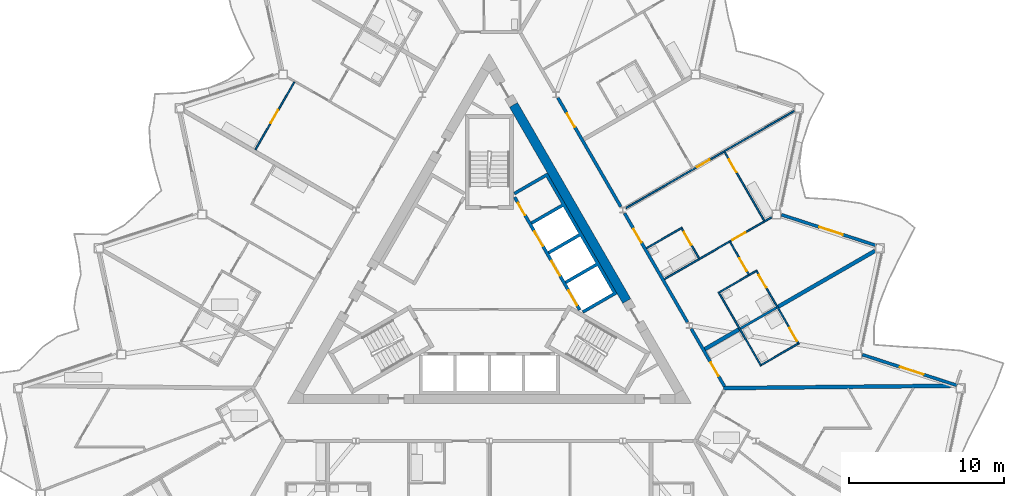
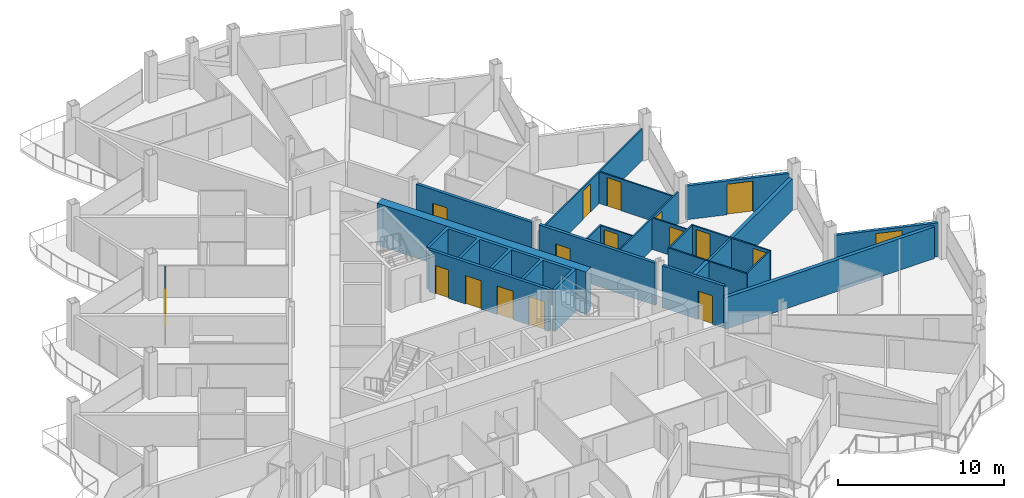
# One storey, part 17 of 27: 23 walls, 17 doors, 17 openings.
"""IFC4 building model written with IfcOpenShell, lengths in metres."""

from ifc_helpers import new_model, si_unit, direction, frame, frame_2d, origin, place, context, subcontext, project, spatial, polyline, rectangle, outline, extrude, material, layer, layer_set, type_object, element, fill, save


model = new_model("IFC4")

# Units and contexts
model_context = context("Model", 3, precision=1e-05, world=origin(), true_north=direction((0.0, 1.0)))
body_context = subcontext(model_context, "Body", "Model", "MODEL_VIEW")
ifc_project = project(units=[si_unit("LENGTHUNIT", "METRE"), si_unit("AREAUNIT", "SQUARE_METRE"), si_unit("VOLUMEUNIT", "CUBIC_METRE"), si_unit("PLANEANGLEUNIT", "RADIAN"), si_unit("MASSUNIT", "GRAM", prefix="KILO")], contexts=[model_context])

# Site, building, storey
site_placement = place(None, origin())
site = spatial("IfcSite", under=ifc_project, at=site_placement, CompositionType="ELEMENT")
building_placement = place(site_placement, origin())
building = spatial("IfcBuilding", under=site, at=building_placement, Name="Cormorant Prow Tower", CompositionType="ELEMENT")
storey_placement = place(building_placement, frame((0.0, 0.0, 332.39990234375)))
storey = spatial("IfcBuildingStorey", under=building, at=storey_placement, Name="L74", CompositionType="ELEMENT", Elevation=332.39990234375)

# Wall
ifc_material_1 = material(Name="Concrete 8000 psi", Category="concrete")
ifc_layer_1 = layer(ifc_material_1, 0.60009765625)
ifc_layer_set_1 = layer_set([ifc_layer_1], Name="Concrete 8000 psi")
wall_type_1 = type_object("IfcWallType", Name="Core shear wall 600", PredefinedType="SHEAR", material=ifc_layer_set_1)
wall_1_placement = place(storey_placement, frame((8.841064453125, -0.902099609375, 0.0), z_axis=(0.0, 0.0, 1.0), x_axis=(-0.499995618375, 0.866027933502, 0.0)))
element("IfcWall", 1, at=wall_1_placement, inside=storey, type_object=wall_type_1, Name="Core wall", PredefinedType="SHEAR", context=body_context, shape_type="SweptSolid", body=[
    extrude(rectangle(XDim=14.570556640625, YDim=0.60009765625, at=frame_2d((7.28515625, 0.0))), origin(), (0.0, 0.0, 1.0), 3.10009765625),
])

# Wall, opening, door
ifc_material_2 = material(Name="Gypsum board corridor wall")
ifc_layer_2 = layer(ifc_material_2, 0.199951171875)
ifc_layer_set_2 = layer_set([ifc_layer_2], Name="Gypsum board corridor wall")
wall_type_2 = type_object("IfcWallType", Name="Corridor wall 200", PredefinedType="PARTITIONING", material=ifc_layer_set_2)
wall_2_placement = place(storey_placement, frame((4.4091796875, 12.17431640625, 0.0), z_axis=(0.0, 0.0, 1.0), x_axis=(0.499984266882, -0.866034487114, 0.0)))
wall_2 = element("IfcWall", 2, at=wall_2_placement, inside=storey, type_object=wall_type_2, Name="Corridor wall", PredefinedType="PARTITIONING", context=body_context, shape_type="SweptSolid", body=[
    extrude(rectangle(XDim=8.098876953125, YDim=0.199951171875, at=frame_2d((4.04931640625, 0.0))), origin(), (0.0, 0.0, 1.0), 3.10009765625),
])
opening_1_placement = place(wall_2_placement, frame((1.16357421875, 0.0, 0.0)))
opening_1 = element("IfcOpeningElement", 3, at=opening_1_placement, cuts=wall_2, Name="Opening L74-F32", PredefinedType="OPENING", context=body_context, shape_type="SweptSolid", body=[
    extrude(rectangle(XDim=1.0, YDim=2.10009765625, at=frame_2d((0.5, 1.050048828125))), frame((0.0, 0.10986328125, 0.0), z_axis=(0.0, -1.0, 0.0), x_axis=(1.0, 0.0, 0.0)), (0.0, 0.0, 1.0), 0.219970703125),
])
ifc_material_3 = material(Name="Timber door leaf", Category="wood")
door_type_1 = type_object("IfcDoorType", Name="Flat or room entrance door 1000x2100", OperationType="NOTDEFINED", PredefinedType="DOOR", material=ifc_material_3)
door_1_placement = place(opening_1_placement, origin())
door_1 = element("IfcDoor", 4, at=door_1_placement, inside=storey, type_object=door_type_1, Name="Living room door", OperationType="SINGLE_SWING_RIGHT", OverallHeight=2.10009765625, OverallWidth=1.0, PredefinedType="DOOR", context=body_context, shape_type="SweptSolid", body=[
    extrude(rectangle(XDim=1.0, YDim=2.10009765625, at=frame_2d((0.5, 1.050048828125))), frame((0.0, 0.02490234375, 0.0), z_axis=(0.0, -1.0, 0.0), x_axis=(1.0, 0.0, 0.0)), (0.0, 0.0, 1.0), 0.050048828125),
])
fill(opening_1, door_1)

wall_3_placement = place(storey_placement, frame((8.698486328125, 4.7451171875, 0.0), z_axis=(0.0, 0.0, 1.0), x_axis=(0.499984266882, -0.866034487114, 0.0)))
wall_3 = element("IfcWall", 5, at=wall_3_placement, inside=storey, type_object=wall_type_2, Name="Corridor wall", PredefinedType="PARTITIONING", context=body_context, shape_type="SweptSolid", body=[
    extrude(rectangle(XDim=8.098876953125, YDim=0.199951171875, at=frame_2d((4.04931640625, 0.0))), origin(), (0.0, 0.0, 1.0), 3.10009765625),
])
opening_2_placement = place(wall_3_placement, frame((1.16357421875, 0.0, 0.0)))
opening_2 = element("IfcOpeningElement", 6, at=opening_2_placement, cuts=wall_3, Name="Opening L74-F24", PredefinedType="OPENING", context=body_context, shape_type="SweptSolid", body=[
    extrude(rectangle(XDim=1.0, YDim=2.10009765625, at=frame_2d((0.5, 1.050048828125))), frame((0.0, 0.10986328125, 0.0), z_axis=(0.0, -1.0, 0.0), x_axis=(1.0, 0.0, 0.0)), (0.0, 0.0, 1.0), 0.219970703125),
])
door_2_placement = place(opening_2_placement, origin())
door_2 = element("IfcDoor", 7, at=door_2_placement, inside=storey, type_object=door_type_1, Name="Living room door", OperationType="SINGLE_SWING_RIGHT", OverallHeight=2.10009765625, OverallWidth=1.0, PredefinedType="DOOR", context=body_context, shape_type="SweptSolid", body=[
    extrude(rectangle(XDim=1.0, YDim=2.10009765625, at=frame_2d((0.5, 1.050048828125))), frame((0.0, 0.02490234375, 0.0), z_axis=(0.0, -1.0, 0.0), x_axis=(1.0, 0.0, 0.0)), (0.0, 0.0, 1.0), 0.050048828125),
])
fill(opening_2, door_2)

wall_4_placement = place(storey_placement, frame((12.987548828125, -2.68408203125, 0.0), z_axis=(0.0, 0.0, 1.0), x_axis=(0.500003406062, -0.866023437285, 0.0)))
wall_4 = element("IfcWall", 8, at=wall_4_placement, inside=storey, type_object=wall_type_2, Name="Corridor wall", PredefinedType="PARTITIONING", context=body_context, shape_type="SweptSolid", body=[
    extrude(rectangle(XDim=4.28759765625, YDim=0.199951171875, at=frame_2d((2.143798828125, 0.0))), origin(), (0.0, 0.0, 1.0), 3.10009765625),
])
opening_3_placement = place(wall_4_placement, frame((2.521484375, 0.0, 0.0)))
opening_3 = element("IfcOpeningElement", 9, at=opening_3_placement, cuts=wall_4, Name="Opening L74-F22", PredefinedType="OPENING", context=body_context, shape_type="SweptSolid", body=[
    extrude(rectangle(XDim=1.0, YDim=2.10009765625, at=frame_2d((0.5, 1.050048828125))), frame((0.0, 0.10986328125, 0.0), z_axis=(0.0, -1.0, 0.0), x_axis=(1.0, 0.0, 0.0)), (0.0, 0.0, 1.0), 0.219970703125),
])
door_3_placement = place(opening_3_placement, origin())
door_3 = element("IfcDoor", 10, at=door_3_placement, inside=storey, type_object=door_type_1, Name="Studio living, kitchen and sleeping room door", OperationType="SINGLE_SWING_RIGHT", OverallHeight=2.10009765625, OverallWidth=1.0, PredefinedType="DOOR", context=body_context, shape_type="SweptSolid", body=[
    extrude(rectangle(XDim=1.0, YDim=2.10009765625, at=frame_2d((0.5, 1.050048828125))), frame((0.0, 0.02490234375, 0.0), z_axis=(0.0, -1.0, 0.0), x_axis=(1.0, 0.0, 0.0)), (0.0, 0.0, 1.0), 0.050048828125),
])
fill(opening_3, door_3)

ifc_material_4 = material(Name="Gypsum board partition")
ifc_layer_3 = layer(ifc_material_4, 0.10009765625)
ifc_layer_set_3 = layer_set([ifc_layer_3], Name="Gypsum board partition")
wall_type_3 = type_object("IfcWallType", Name="Internal partition 100", PredefinedType="PARTITIONING", material=ifc_layer_set_3)
wall_5_placement = place(storey_placement, frame((8.7861328125, 5.07275390625, 0.0), z_axis=(0.0, 0.0, 1.0), x_axis=(0.86602139559, 0.500006942333, 0.0)))
wall_5 = element("IfcWall", 11, at=wall_5_placement, inside=storey, type_object=wall_type_3, Name="Internal partition", PredefinedType="PARTITIONING", context=body_context, shape_type="SweptSolid", body=[
    extrude(rectangle(XDim=12.504638671875, YDim=0.10009765625, at=frame_2d((6.25244140625, 0.0))), origin(), (0.0, 0.0, 1.0), 2.330078125),
])
opening_4_placement = place(wall_5_placement, frame((5.27490234375, 0.0, 0.0)))
opening_4 = element("IfcOpeningElement", 12, at=opening_4_placement, cuts=wall_5, Name="Opening L74-F29", PredefinedType="OPENING", context=body_context, shape_type="SweptSolid", body=[
    extrude(rectangle(XDim=0.949951171875, YDim=2.10009765625, at=frame_2d((0.47509765625, 1.050048828125))), frame((0.0, 0.06005859375, 0.0), z_axis=(0.0, -1.0, 0.0), x_axis=(1.0, 0.0, 0.0)), (0.0, 0.0, 1.0), 0.1201171875),
])
ifc_material_5 = material(Name="Timber door leaf", Category="wood")
door_type_2 = type_object("IfcDoorType", Name="Bathroom door 950x2100", OperationType="NOTDEFINED", PredefinedType="DOOR", material=ifc_material_5)
door_4_placement = place(opening_4_placement, origin())
door_4 = element("IfcDoor", 13, at=door_4_placement, inside=storey, type_object=door_type_2, Name="Living room door", OperationType="SINGLE_SWING_LEFT", OverallHeight=2.10009765625, OverallWidth=0.949951171875, PredefinedType="DOOR", context=body_context, shape_type="SweptSolid", body=[
    extrude(rectangle(XDim=0.949951171875, YDim=2.10009765625, at=frame_2d((0.47509765625, 1.050048828125))), frame((0.0, 0.02490234375, 0.0), z_axis=(0.0, -1.0, 0.0), x_axis=(1.0, 0.0, 0.0)), (0.0, 0.0, 1.0), 0.050048828125),
])
fill(opening_4, door_4)

wall_6_placement = place(storey_placement, frame((11.26318359375, 0.502685546875, 0.0), z_axis=(0.0, 0.0, 1.0), x_axis=(0.866023773276, 0.500002824113, 0.0)))
wall_6 = element("IfcWall", 14, at=wall_6_placement, inside=storey, type_object=wall_type_3, Name="Internal partition", PredefinedType="PARTITIONING", context=body_context, shape_type="SweptSolid", body=[
    extrude(rectangle(XDim=7.96484375, YDim=0.10009765625, at=frame_2d((3.982421875, 0.0))), origin(), (0.0, 0.0, 1.0), 2.330078125),
])
opening_5_placement = place(wall_6_placement, frame((5.06103515625, 0.0, 0.0)))
opening_5 = element("IfcOpeningElement", 15, at=opening_5_placement, cuts=wall_6, Name="Opening L74-F27", PredefinedType="OPENING", context=body_context, shape_type="SweptSolid", body=[
    extrude(rectangle(XDim=0.949951171875, YDim=2.10009765625, at=frame_2d((0.47509765625, 1.050048828125))), frame((0.0, 0.06005859375, 0.0), z_axis=(0.0, -1.0, 0.0), x_axis=(1.0, 0.0, 0.0)), (0.0, 0.0, 1.0), 0.1201171875),
])
door_5_placement = place(opening_5_placement, origin())
door_5 = element("IfcDoor", 16, at=door_5_placement, inside=storey, type_object=door_type_2, Name="Living room door", OperationType="SINGLE_SWING_LEFT", OverallHeight=2.10009765625, OverallWidth=0.949951171875, PredefinedType="DOOR", context=body_context, shape_type="SweptSolid", body=[
    extrude(rectangle(XDim=0.949951171875, YDim=2.10009765625, at=frame_2d((0.47509765625, 1.050048828125))), frame((0.0, 0.02490234375, 0.0), z_axis=(0.0, -1.0, 0.0), x_axis=(1.0, 0.0, 0.0)), (0.0, 0.0, 1.0), 0.050048828125),
])
fill(opening_5, door_5)

# Wall
wall_7_placement = place(storey_placement, frame((14.738037109375, -0.31591796875, 0.0), z_axis=(0.0, 0.0, 1.0), x_axis=(0.499996545922, -0.866027397988, 0.0)))
element("IfcWall", 17, at=wall_7_placement, inside=storey, type_object=wall_type_3, Name="Internal partition", PredefinedType="PARTITIONING", context=body_context, shape_type="SweptSolid", body=[
    extrude(rectangle(XDim=5.5, YDim=0.10009765625, at=frame_2d((2.75, 0.0))), origin(), (0.0, 0.0, 1.0), 2.330078125),
])

# Wall, openings, doors
wall_8_placement = place(storey_placement, frame((17.162841796875, 1.083984375, 0.0), z_axis=(0.0, 0.0, 1.0), x_axis=(0.500015767406, -0.866016300277, 0.0)))
wall_8 = element("IfcWall", 18, at=wall_8_placement, inside=storey, type_object=wall_type_3, Name="Internal partition", PredefinedType="PARTITIONING", context=body_context, shape_type="SweptSolid", body=[
    extrude(rectangle(XDim=5.499755859375, YDim=0.10009765625, at=frame_2d((2.75, 0.0))), origin(), (0.0, 0.0, 1.0), 2.330078125),
])
opening_6_placement = place(wall_8_placement, frame((4.300048828125, 0.0, 0.0)))
opening_6 = element("IfcOpeningElement", 19, at=opening_6_placement, cuts=wall_8, Name="Opening L74-F23", PredefinedType="OPENING", context=body_context, shape_type="SweptSolid", body=[
    extrude(rectangle(XDim=0.949951171875, YDim=2.10009765625, at=frame_2d((0.47509765625, 1.050048828125))), frame((0.0, 0.06005859375, 0.0), z_axis=(0.0, -1.0, 0.0), x_axis=(1.0, 0.0, 0.0)), (0.0, 0.0, 1.0), 0.1201171875),
])
opening_7_placement = place(wall_8_placement, frame((0.351318359375, 0.0, 0.0)))
opening_7 = element("IfcOpeningElement", 20, at=opening_7_placement, cuts=wall_8, Name="Opening L74-F31", PredefinedType="OPENING", context=body_context, shape_type="SweptSolid", body=[
    extrude(rectangle(XDim=0.949951171875, YDim=2.10009765625, at=frame_2d((0.47509765625, 1.050048828125))), frame((0.0, 0.06005859375, 0.0), z_axis=(0.0, -1.0, 0.0), x_axis=(1.0, 0.0, 0.0)), (0.0, 0.0, 1.0), 0.1201171875),
])
door_6_placement = place(opening_6_placement, origin())
door_6 = element("IfcDoor", 21, at=door_6_placement, inside=storey, type_object=door_type_2, Name="Studio living, kitchen and sleeping room door", OperationType="SINGLE_SWING_RIGHT", OverallHeight=2.10009765625, OverallWidth=0.949951171875, PredefinedType="DOOR", context=body_context, shape_type="SweptSolid", body=[
    extrude(rectangle(XDim=0.949951171875, YDim=2.10009765625, at=frame_2d((0.47509765625, 1.050048828125))), frame((0.0, 0.02490234375, 0.0), z_axis=(0.0, -1.0, 0.0), x_axis=(1.0, 0.0, 0.0)), (0.0, 0.0, 1.0), 0.050048828125),
])
fill(opening_6, door_6)
door_7_placement = place(opening_7_placement, origin())
door_7 = element("IfcDoor", 22, at=door_7_placement, inside=storey, type_object=door_type_2, Name="Bedroom door", OperationType="SINGLE_SWING_LEFT", OverallHeight=2.10009765625, OverallWidth=0.949951171875, PredefinedType="DOOR", context=body_context, shape_type="SweptSolid", body=[
    extrude(rectangle(XDim=0.949951171875, YDim=2.10009765625, at=frame_2d((0.47509765625, 1.050048828125))), frame((0.0, 0.02490234375, 0.0), z_axis=(0.0, -1.0, 0.0), x_axis=(1.0, 0.0, 0.0)), (0.0, 0.0, 1.0), 0.050048828125),
])
fill(opening_7, door_7)

# Wall, opening, door
wall_9_placement = place(storey_placement, frame((-15.052490234375, 8.834716796875, 0.0), z_axis=(0.0, 0.0, 1.0), x_axis=(0.500008642379, 0.866020414047, 0.0)))
wall_9 = element("IfcWall", 23, at=wall_9_placement, inside=storey, type_object=wall_type_3, Name="Internal partition", PredefinedType="PARTITIONING", context=body_context, shape_type="SweptSolid", body=[
    extrude(rectangle(XDim=5.021484375, YDim=0.10009765625, at=frame_2d((2.5107421875, 0.0))), origin(), (0.0, 0.0, 1.0), 2.330078125),
])
opening_8_placement = place(wall_9_placement, frame((1.984619140625, 0.0, 0.0)))
opening_8 = element("IfcOpeningElement", 24, at=opening_8_placement, cuts=wall_9, Name="Opening L74-F47", PredefinedType="OPENING", context=body_context, shape_type="SweptSolid", body=[
    extrude(rectangle(XDim=0.949951171875, YDim=2.10009765625, at=frame_2d((0.47509765625, 1.050048828125))), frame((0.0, 0.06005859375, 0.0), z_axis=(0.0, -1.0, 0.0), x_axis=(1.0, 0.0, 0.0)), (0.0, 0.0, 1.0), 0.1201171875),
])
door_8_placement = place(opening_8_placement, origin())
door_8 = element("IfcDoor", 25, at=door_8_placement, inside=storey, type_object=door_type_2, Name="Living room door", OperationType="SINGLE_SWING_LEFT", OverallHeight=2.10009765625, OverallWidth=0.949951171875, PredefinedType="DOOR", context=body_context, shape_type="SweptSolid", body=[
    extrude(rectangle(XDim=0.949951171875, YDim=2.10009765625, at=frame_2d((0.47509765625, 1.050048828125))), frame((0.0, 0.02490234375, 0.0), z_axis=(0.0, -1.0, 0.0), x_axis=(1.0, 0.0, 0.0)), (0.0, 0.0, 1.0), 0.050048828125),
])
fill(opening_8, door_8)

wall_10_placement = place(storey_placement, frame((15.139892578125, 8.683349609375, 0.0), z_axis=(0.0, 0.0, 1.0), x_axis=(0.499987849973, -0.866032418492, 0.0)))
wall_10 = element("IfcWall", 26, at=wall_10_placement, inside=storey, type_object=wall_type_3, Name="Internal partition", PredefinedType="PARTITIONING", context=body_context, shape_type="SweptSolid", body=[
    extrude(rectangle(XDim=5.096435546875, YDim=0.10009765625, at=frame_2d((2.54833984375, 0.0))), origin(), (0.0, 0.0, 1.0), 2.330078125),
])
opening_9_placement = place(wall_10_placement, frame((0.553955078125, 0.0, 0.0)))
opening_9 = element("IfcOpeningElement", 27, at=opening_9_placement, cuts=wall_10, Name="Opening L74-F26", PredefinedType="OPENING", context=body_context, shape_type="SweptSolid", body=[
    extrude(rectangle(XDim=0.949951171875, YDim=2.10009765625, at=frame_2d((0.47509765625, 1.050048828125))), frame((0.0, 0.06005859375, 0.0), z_axis=(0.0, -1.0, 0.0), x_axis=(1.0, 0.0, 0.0)), (0.0, 0.0, 1.0), 0.1201171875),
])
door_9_placement = place(opening_9_placement, origin())
door_9 = element("IfcDoor", 28, at=door_9_placement, inside=storey, type_object=door_type_2, Name="Living room door", OperationType="SINGLE_SWING_LEFT", OverallHeight=2.10009765625, OverallWidth=0.949951171875, PredefinedType="DOOR", context=body_context, shape_type="SweptSolid", body=[
    extrude(rectangle(XDim=0.949951171875, YDim=2.10009765625, at=frame_2d((0.47509765625, 1.050048828125))), frame((0.0, 0.02490234375, 0.0), z_axis=(0.0, -1.0, 0.0), x_axis=(1.0, 0.0, 0.0)), (0.0, 0.0, 1.0), 0.050048828125),
])
fill(opening_9, door_9)

# Walls
for number, where, z_axis, x_axis, name in (
    (29, (17.50634765625, -5.0107421875, 0.0), (0.0, 0.0, 1.0), (0.86599734893, 0.500048589285, 0.0), "Internal partition"),
    (30, (14.806396484375, -0.334228515625, 0.0), (0.0, 0.0, 1.0), (0.86599734893, 0.500048589285, 0.0), "Internal partition"),
):
    element("IfcWall", number, at=place(storey_placement, frame(where, z_axis=z_axis, x_axis=x_axis)), inside=storey, type_object=wall_type_3, Name=name, PredefinedType="PARTITIONING", context=body_context, shape_type="SweptSolid", body=[
        extrude(rectangle(XDim=2.699951171875, YDim=0.10009765625, at=frame_2d((1.35009765625, 0.0))), origin(), (0.0, 0.0, 1.0), 2.330078125),
    ])
wall_11_placement = place(storey_placement, frame((10.11328125, 2.494384765625, 0.0), z_axis=(0.0, 0.0, 1.0), x_axis=(0.865989200783, 0.500062700197, 0.0)))
element("IfcWall", 31, at=wall_11_placement, inside=storey, type_object=wall_type_3, Name="Internal partition", PredefinedType="PARTITIONING", context=body_context, shape_type="SweptSolid", body=[
    extrude(rectangle(XDim=2.650146484375, YDim=0.10009765625, at=frame_2d((1.3251953125, 0.0))), origin(), (0.0, 0.0, 1.0), 2.330078125),
])

# Wall, opening, door
wall_12_placement = place(storey_placement, frame((15.492919921875, 2.886962890625, 0.0), z_axis=(0.0, 0.0, 1.0), x_axis=(0.499963527173, -0.866046460357, 0.0)))
wall_12 = element("IfcWall", 32, at=wall_12_placement, inside=storey, type_object=wall_type_3, Name="Internal partition", PredefinedType="PARTITIONING", context=body_context, shape_type="SweptSolid", body=[
    extrude(rectangle(XDim=2.396240234375, YDim=0.10009765625, at=frame_2d((1.1982421875, 0.0))), origin(), (0.0, 0.0, 1.0), 2.330078125),
])
opening_10_placement = place(wall_12_placement, frame((1.1962890625, 0.0, 0.0)))
opening_10 = element("IfcOpeningElement", 33, at=opening_10_placement, cuts=wall_12, Name="Opening L74-F28", PredefinedType="OPENING", context=body_context, shape_type="SweptSolid", body=[
    extrude(rectangle(XDim=0.949951171875, YDim=2.10009765625, at=frame_2d((0.47509765625, 1.050048828125))), frame((0.0, 0.06005859375, 0.0), z_axis=(0.0, -1.0, 0.0), x_axis=(1.0, 0.0, 0.0)), (0.0, 0.0, 1.0), 0.1201171875),
])
door_10_placement = place(opening_10_placement, origin())
door_10 = element("IfcDoor", 34, at=door_10_placement, inside=storey, type_object=door_type_2, Name="Bedroom door", OperationType="SINGLE_SWING_RIGHT", OverallHeight=2.10009765625, OverallWidth=0.949951171875, PredefinedType="DOOR", context=body_context, shape_type="SweptSolid", body=[
    extrude(rectangle(XDim=0.949951171875, YDim=2.10009765625, at=frame_2d((0.47509765625, 1.050048828125))), frame((0.0, 0.02490234375, 0.0), z_axis=(0.0, -1.0, 0.0), x_axis=(1.0, 0.0, 0.0)), (0.0, 0.0, 1.0), 0.050048828125),
])
fill(opening_10, door_10)

wall_13_placement = place(storey_placement, frame((12.389892578125, 3.751220703125, 0.0), z_axis=(0.0, 0.0, 1.0), x_axis=(0.50002983664, -0.866008176907, 0.0)))
wall_13 = element("IfcWall", 35, at=wall_13_placement, inside=storey, type_object=wall_type_3, Name="Internal partition", PredefinedType="PARTITIONING", context=body_context, shape_type="SweptSolid", body=[
    extrude(rectangle(XDim=2.199951171875, YDim=0.10009765625, at=frame_2d((1.10009765625, 0.0))), origin(), (0.0, 0.0, 1.0), 2.330078125),
])
opening_11_placement = place(wall_13_placement, frame((0.25, 0.0, 0.0)))
opening_11 = element("IfcOpeningElement", 36, at=opening_11_placement, cuts=wall_13, Name="Opening L74-F25", PredefinedType="OPENING", context=body_context, shape_type="SweptSolid", body=[
    extrude(rectangle(XDim=0.949951171875, YDim=2.10009765625, at=frame_2d((0.47509765625, 1.050048828125))), frame((0.0, 0.06005859375, 0.0), z_axis=(0.0, -1.0, 0.0), x_axis=(1.0, 0.0, 0.0)), (0.0, 0.0, 1.0), 0.1201171875),
])
door_11_placement = place(opening_11_placement, origin())
door_11 = element("IfcDoor", 37, at=door_11_placement, inside=storey, type_object=door_type_2, Name="Living room door", OperationType="SINGLE_SWING_LEFT", OverallHeight=2.10009765625, OverallWidth=0.949951171875, PredefinedType="DOOR", context=body_context, shape_type="SweptSolid", body=[
    extrude(rectangle(XDim=0.949951171875, YDim=2.10009765625, at=frame_2d((0.47509765625, 1.050048828125))), frame((0.0, 0.02490234375, 0.0), z_axis=(0.0, -1.0, 0.0), x_axis=(1.0, 0.0, 0.0)), (0.0, 0.0, 1.0), 0.050048828125),
])
fill(opening_11, door_11)

# Wall, openings, doors
ifc_material_6 = material(Name="Concrete 5000 psi", Category="concrete")
ifc_layer_4 = layer(ifc_material_6, 0.199951171875)
ifc_layer_set_4 = layer_set([ifc_layer_4], Name="Concrete 5000 psi")
wall_type_4 = type_object("IfcWallType", Name="Lift lobby wall 200", PredefinedType="SOLIDWALL", material=ifc_layer_set_4)
wall_14_placement = place(storey_placement, frame((5.817138671875, -1.4755859375, 0.0), z_axis=(0.0, 0.0, 1.0), x_axis=(-0.500002616675, 0.866023893041, 0.0)))
wall_14 = element("IfcWall", 38, at=wall_14_placement, inside=storey, type_object=wall_type_4, Name="Lift lobby wall, ENE block", PredefinedType="SOLIDWALL", context=body_context, shape_type="SweptSolid", body=[
    extrude(rectangle(XDim=8.373046875, YDim=0.199951171875, at=frame_2d((4.1865234375, 0.0))), origin(), (0.0, 0.0, 1.0), 3.10009765625),
])
opening_12_placement = place(wall_14_placement, frame((0.336669921875, 0.0, 0.0)))
opening_12 = element("IfcOpeningElement", 39, at=opening_12_placement, cuts=wall_14, Name="Opening L74-C05", PredefinedType="OPENING", context=body_context, shape_type="SweptSolid", body=[
    extrude(rectangle(XDim=1.10009765625, YDim=2.10009765625, at=frame_2d((0.550048828125, 1.050048828125))), frame((0.0, 0.10986328125, 0.0), z_axis=(0.0, -1.0, 0.0), x_axis=(1.0, 0.0, 0.0)), (0.0, 0.0, 1.0), 0.219970703125),
])
opening_13_placement = place(wall_14_placement, frame((2.53662109375, 0.0, 0.0)))
opening_13 = element("IfcOpeningElement", 40, at=opening_13_placement, cuts=wall_14, Name="Opening L74-C06", PredefinedType="OPENING", context=body_context, shape_type="SweptSolid", body=[
    extrude(rectangle(XDim=1.10009765625, YDim=2.10009765625, at=frame_2d((0.550048828125, 1.050048828125))), frame((0.0, 0.10986328125, 0.0), z_axis=(0.0, -1.0, 0.0), x_axis=(1.0, 0.0, 0.0)), (0.0, 0.0, 1.0), 0.219970703125),
])
opening_14_placement = place(wall_14_placement, frame((4.736572265625, 0.0, 0.0)))
opening_14 = element("IfcOpeningElement", 41, at=opening_14_placement, cuts=wall_14, Name="Opening L74-C07", PredefinedType="OPENING", context=body_context, shape_type="SweptSolid", body=[
    extrude(rectangle(XDim=1.10009765625, YDim=2.10009765625, at=frame_2d((0.550048828125, 1.050048828125))), frame((0.0, 0.10986328125, 0.0), z_axis=(0.0, -1.0, 0.0), x_axis=(1.0, 0.0, 0.0)), (0.0, 0.0, 1.0), 0.219970703125),
])
opening_15_placement = place(wall_14_placement, frame((7.03662109375, 0.0, 0.0)))
opening_15 = element("IfcOpeningElement", 42, at=opening_15_placement, cuts=wall_14, Name="Opening L74-C08", PredefinedType="OPENING", context=body_context, shape_type="SweptSolid", body=[
    extrude(rectangle(XDim=0.89990234375, YDim=2.10009765625, at=frame_2d((0.449951171875, 1.050048828125))), frame((0.0, 0.10986328125, 0.0), z_axis=(0.0, -1.0, 0.0), x_axis=(1.0, 0.0, 0.0)), (0.0, 0.0, 1.0), 0.219970703125),
])
ifc_material_7 = material(Name="Painted steel", Category="steel")
door_type_3 = type_object("IfcDoorType", Name="Lift landing door 1100x2100", OperationType="SLIDING_TO_LEFT", PredefinedType="DOOR", material=ifc_material_7)
door_12_placement = place(opening_12_placement, origin())
door_12 = element("IfcDoor", 43, at=door_12_placement, inside=storey, type_object=door_type_3, Name="Landing door HR2", OperationType="SLIDING_TO_LEFT", OverallHeight=2.10009765625, OverallWidth=1.10009765625, PredefinedType="DOOR", context=body_context, shape_type="SweptSolid", body=[
    extrude(rectangle(XDim=1.10009765625, YDim=2.10009765625, at=frame_2d((0.550048828125, 1.050048828125))), frame((0.0, 0.02490234375, 0.0), z_axis=(0.0, -1.0, 0.0), x_axis=(1.0, 0.0, 0.0)), (0.0, 0.0, 1.0), 0.050048828125),
])
fill(opening_12, door_12)
door_13_placement = place(opening_13_placement, origin())
door_13 = element("IfcDoor", 44, at=door_13_placement, inside=storey, type_object=door_type_3, Name="Landing door HR3", OperationType="SLIDING_TO_LEFT", OverallHeight=2.10009765625, OverallWidth=1.10009765625, PredefinedType="DOOR", context=body_context, shape_type="SweptSolid", body=[
    extrude(rectangle(XDim=1.10009765625, YDim=2.10009765625, at=frame_2d((0.550048828125, 1.050048828125))), frame((0.0, 0.02490234375, 0.0), z_axis=(0.0, -1.0, 0.0), x_axis=(1.0, 0.0, 0.0)), (0.0, 0.0, 1.0), 0.050048828125),
])
fill(opening_13, door_13)
door_14_placement = place(opening_14_placement, origin())
door_14 = element("IfcDoor", 45, at=door_14_placement, inside=storey, type_object=door_type_3, Name="Landing door HR4", OperationType="SLIDING_TO_LEFT", OverallHeight=2.10009765625, OverallWidth=1.10009765625, PredefinedType="DOOR", context=body_context, shape_type="SweptSolid", body=[
    extrude(rectangle(XDim=1.10009765625, YDim=2.10009765625, at=frame_2d((0.550048828125, 1.050048828125))), frame((0.0, 0.02490234375, 0.0), z_axis=(0.0, -1.0, 0.0), x_axis=(1.0, 0.0, 0.0)), (0.0, 0.0, 1.0), 0.050048828125),
])
fill(opening_14, door_14)
ifc_material_8 = material(Name="Painted steel", Category="steel")
door_type_4 = type_object("IfcDoorType", Name="Service door 900x2100", OperationType="NOTDEFINED", PredefinedType="DOOR", material=ifc_material_8)
door_15_placement = place(opening_15_placement, origin())
door_15 = element("IfcDoor", 46, at=door_15_placement, inside=storey, type_object=door_type_4, Name="Service door, Telecom room", OperationType="SINGLE_SWING_RIGHT", OverallHeight=2.10009765625, OverallWidth=0.89990234375, PredefinedType="DOOR", context=body_context, shape_type="SweptSolid", body=[
    extrude(rectangle(XDim=0.89990234375, YDim=2.10009765625, at=frame_2d((0.449951171875, 1.050048828125))), frame((0.0, 0.02490234375, 0.0), z_axis=(0.0, -1.0, 0.0), x_axis=(1.0, 0.0, 0.0)), (0.0, 0.0, 1.0), 0.050048828125),
])
fill(opening_15, door_15)

# Walls
ifc_material_9 = material(Name="Concrete 8000 psi", Category="concrete")
ifc_layer_5 = layer(ifc_material_9, 0.199951171875)
ifc_layer_set_5 = layer_set([ifc_layer_5], Name="Concrete 8000 psi")
wall_type_5 = type_object("IfcWallType", Name="Lift shaft wall 200", PredefinedType="SHEAR", material=ifc_layer_set_5)
wall_15_placement = place(storey_placement, origin())
element("IfcWall", 47, at=wall_15_placement, inside=storey, type_object=wall_type_5, Name="Lift shaft walls, ENE block", PredefinedType="SHEAR", context=body_context, shape_type="SweptSolid", body=[
    extrude(outline(polyline([(1.560546875, 6.09716796875), (3.730712890625, 7.35009765625), (8.230712890625, -0.444091796875), (6.060546875, -1.697021484375), (5.96044921875, -1.52392578125), (7.952392578125, -0.373779296875), (6.952392578125, 1.358154296875), (4.96044921875, 0.2080078125), (4.860595703125, 0.38134765625), (6.852294921875, 1.53125), (5.852294921875, 3.263427734375), (3.860595703125, 2.11328125), (3.760498046875, 2.28662109375), (5.75244140625, 3.4365234375), (4.75244140625, 5.168701171875), (2.760498046875, 4.018798828125), (2.660400390625, 4.19189453125), (4.65234375, 5.341796875), (3.65234375, 7.073974609375), (1.660400390625, 5.923828125), (1.560546875, 6.09716796875)])), origin(), (0.0, 0.0, 1.0), 3.10009765625),
])
ifc_material_10 = material(Name="Acoustic gypsum party wall")
ifc_layer_6 = layer(ifc_material_10, 0.25)
ifc_layer_set_6 = layer_set([ifc_layer_6], Name="Acoustic gypsum party wall")
wall_type_6 = type_object("IfcWallType", Name="Suite party wall 250", PredefinedType="PARTITIONING", material=ifc_layer_set_6)
wall_16_placement = place(storey_placement, frame((15.06884765625, -6.5068359375, 0.0), z_axis=(0.0, 0.0, 1.0), x_axis=(0.999946985532, 0.010296898856, 0.0)))
element("IfcWall", 48, at=wall_16_placement, inside=storey, type_object=wall_type_6, Name="Suite party wall", PredefinedType="PARTITIONING", context=body_context, shape_type="SweptSolid", body=[
    extrude(rectangle(XDim=14.676513671875, YDim=0.25, at=frame_2d((7.33837890625, 0.0))), origin(), (0.0, 0.0, 1.0), 2.330078125),
])
wall_17_placement = place(storey_placement, frame((18.581298828125, -1.2724609375, 0.0), z_axis=(0.0, 0.0, 1.0), x_axis=(0.866024038922, 0.500002364004, 0.0)))
element("IfcWall", 49, at=wall_17_placement, inside=storey, type_object=wall_type_6, Name="Suite party wall", PredefinedType="PARTITIONING", context=body_context, shape_type="SweptSolid", body=[
    extrude(rectangle(XDim=7.19775390625, YDim=0.25, at=frame_2d((3.598876953125, 0.0))), origin(), (0.0, 0.0, 1.0), 2.330078125),
])
wall_18_placement = place(storey_placement, frame((13.861328125, -3.997314453125, 0.0), z_axis=(0.0, 0.0, 1.0), x_axis=(0.866030925526, 0.499990435942, 0.0)))
element("IfcWall", 50, at=wall_18_placement, inside=storey, type_object=wall_type_6, Name="Suite party wall", PredefinedType="PARTITIONING", context=body_context, shape_type="SweptSolid", body=[
    extrude(rectangle(XDim=2.5498046875, YDim=0.25, at=frame_2d((1.27490234375, 0.0))), origin(), (0.0, 0.0, 1.0), 2.330078125),
])

# Wall, opening, door
ifc_material_11 = material(Name="Terracotta", Category="masonry")
ifc_layer_7 = layer(ifc_material_11, 0.199951171875)
ifc_layer_set_7 = layer_set([ifc_layer_7], Name="Terracotta")
wall_type_7 = type_object("IfcWallType", Name="Terracotta jamb wall 200", PredefinedType="SOLIDWALL", material=ifc_layer_set_7)
wall_19_placement = place(storey_placement, frame((30.089599609375, -6.333251953125, 0.0), z_axis=(0.0, 0.0, 1.0), x_axis=(-0.951048625867, 0.309041277561, 0.0)))
wall_19 = element("IfcWall", 51, at=wall_19_placement, inside=storey, type_object=wall_type_7, Name="Terracotta jamb wall ENE01", PredefinedType="SOLIDWALL", context=body_context, shape_type="SweptSolid", body=[
    extrude(rectangle(XDim=6.408447265625, YDim=0.199951171875, at=frame_2d((3.2041015625, 0.0))), origin(), (0.0, 0.0, 1.0), 2.488037109375),
])
opening_16_placement = place(wall_19_placement, frame((2.26220703125, 0.0, 0.0)))
opening_16 = element("IfcOpeningElement", 52, at=opening_16_placement, cuts=wall_19, Name="Opening ED74.06", PredefinedType="OPENING", context=body_context, shape_type="SweptSolid", body=[
    extrude(rectangle(XDim=1.60009765625, YDim=2.25, at=frame_2d((0.800048828125, 1.125))), frame((0.0, 0.10986328125, 0.0), z_axis=(0.0, -1.0, 0.0), x_axis=(1.0, 0.0, 0.0)), (0.0, 0.0, 1.0), 0.219970703125),
])
ifc_material_12 = material(Name="Aluminium 6063-T6", Category="aluminium")
door_type_5 = type_object("IfcDoorType", Name="Balcony door 1600x2250", OperationType="DOUBLE_DOOR_SINGLE_SWING", PredefinedType="DOOR", material=ifc_material_12)
door_16_placement = place(opening_16_placement, origin())
door_16 = element("IfcDoor", 53, at=door_16_placement, inside=storey, type_object=door_type_5, Name="Balcony door ENE01 ED74.06", OperationType="DOUBLE_DOOR_SINGLE_SWING", OverallHeight=2.25, OverallWidth=1.60009765625, PredefinedType="DOOR", context=body_context, shape_type="SweptSolid", body=[
    extrude(rectangle(XDim=1.60009765625, YDim=2.25, at=frame_2d((0.800048828125, 1.125))), frame((0.0, 0.02490234375, 0.0), z_axis=(0.0, -1.0, 0.0), x_axis=(1.0, 0.0, 0.0)), (0.0, 0.0, 1.0), 0.050048828125),
])
fill(opening_16, door_16)

wall_20_placement = place(storey_placement, frame((24.893310546875, 2.6669921875, 0.0), z_axis=(0.0, 0.0, 1.0), x_axis=(-0.951058691075, 0.309010301012, 0.0)))
wall_20 = element("IfcWall", 54, at=wall_20_placement, inside=storey, type_object=wall_type_7, Name="Terracotta jamb wall ENE03", PredefinedType="SOLIDWALL", context=body_context, shape_type="SweptSolid", body=[
    extrude(rectangle(XDim=6.411376953125, YDim=0.199951171875, at=frame_2d((3.20556640625, 0.0))), origin(), (0.0, 0.0, 1.0), 2.488037109375),
])
opening_17_placement = place(wall_20_placement, frame((2.26220703125, 0.0, 0.0)))
opening_17 = element("IfcOpeningElement", 55, at=opening_17_placement, cuts=wall_20, Name="Opening ED74.07", PredefinedType="OPENING", context=body_context, shape_type="SweptSolid", body=[
    extrude(rectangle(XDim=1.60009765625, YDim=2.25, at=frame_2d((0.800048828125, 1.125))), frame((0.0, 0.10986328125, 0.0), z_axis=(0.0, -1.0, 0.0), x_axis=(1.0, 0.0, 0.0)), (0.0, 0.0, 1.0), 0.219970703125),
])
door_17_placement = place(opening_17_placement, origin())
door_17 = element("IfcDoor", 56, at=door_17_placement, inside=storey, type_object=door_type_5, Name="Balcony door ENE03 ED74.07", OperationType="DOUBLE_DOOR_SINGLE_SWING", OverallHeight=2.25, OverallWidth=1.60009765625, PredefinedType="DOOR", context=body_context, shape_type="SweptSolid", body=[
    extrude(rectangle(XDim=1.60009765625, YDim=2.25, at=frame_2d((0.800048828125, 1.125))), frame((0.0, 0.02490234375, 0.0), z_axis=(0.0, -1.0, 0.0), x_axis=(1.0, 0.0, 0.0)), (0.0, 0.0, 1.0), 0.050048828125),
])
fill(opening_17, door_17)

# Wall
ifc_material_13 = material(Name="Plasterboard wet wall with pipe chase")
ifc_layer_8 = layer(ifc_material_13, 0.14990234375)
ifc_layer_set_8 = layer_set([ifc_layer_8], Name="Plasterboard wet wall with pipe chase")
wall_type_8 = type_object("IfcWallType", Name="Wet wall 150", PredefinedType="PLUMBINGWALL", material=ifc_layer_set_8)
wall_21_placement = place(storey_placement, frame((16.15625, -2.67236328125, 0.0), z_axis=(0.0, 0.0, 1.0), x_axis=(0.866059108428, 0.4999416173, 0.0)))
element("IfcWall", 57, at=wall_21_placement, inside=storey, type_object=wall_type_8, Name="Wet wall", PredefinedType="PLUMBINGWALL", context=body_context, shape_type="SweptSolid", body=[
    extrude(rectangle(XDim=2.699951171875, YDim=0.14990234375, at=frame_2d((1.35009765625, 0.0))), origin(), (0.0, 0.0, 1.0), 2.330078125),
])

save(model, "model.ifc")
